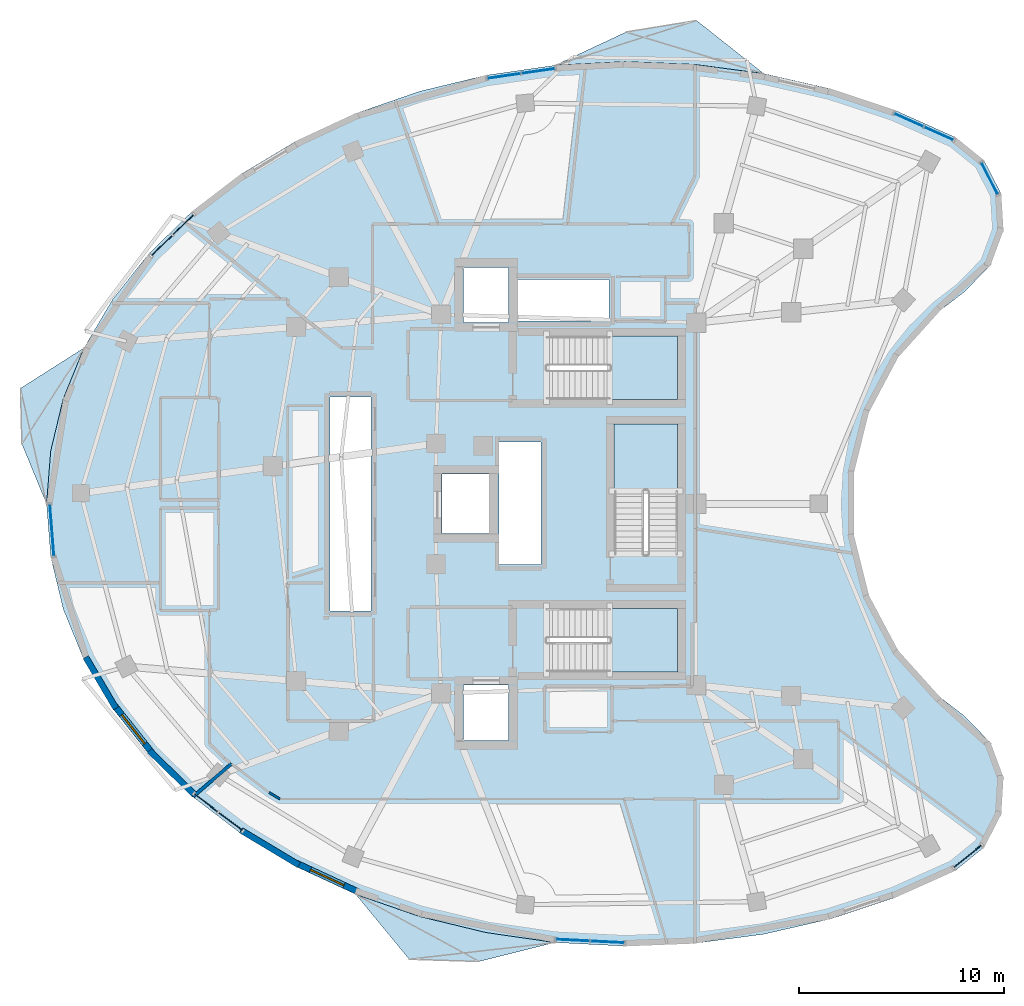
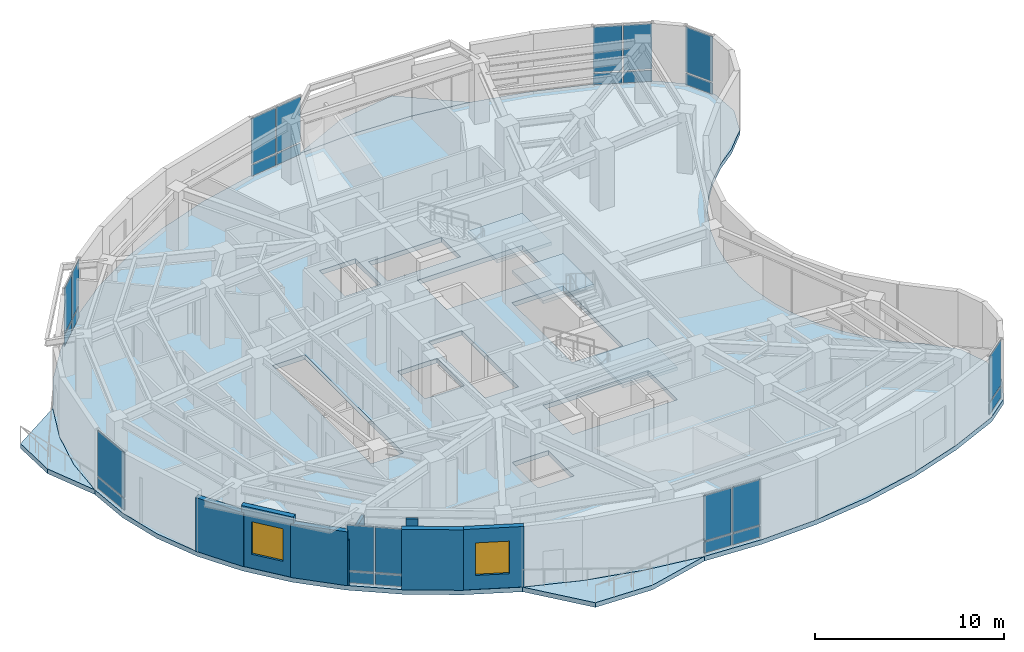
# One storey, part 7 of 14: 26 plates, 7 slabs, 7 walls, 2 windows, 2 openings, 11 elements without a shape of their own.
"""IFC4 building model written with IfcOpenShell, lengths in metres."""

from ifc_helpers import new_model, si_unit, direction, frame, frame_2d, origin, origin_2d, place, context, subcontext, project, spatial, polyline, rectangle, outline, extrude, material, layer, layer_set, type_object, element, fill, aggregate, save


model = new_model("IFC4")

# Units and contexts
model_context = context("Model", 3, precision=1e-05, world=origin(), true_north=direction((0.0, 1.0)))
body_context = subcontext(model_context, "Body", "Model", "MODEL_VIEW")
ifc_project = project(units=[si_unit("LENGTHUNIT", "METRE"), si_unit("AREAUNIT", "SQUARE_METRE"), si_unit("VOLUMEUNIT", "CUBIC_METRE"), si_unit("PLANEANGLEUNIT", "RADIAN"), si_unit("MASSUNIT", "GRAM", prefix="KILO")], contexts=[model_context])

# Site, building, storey
site_placement = place(None, origin())
site = spatial("IfcSite", under=ifc_project, at=site_placement, CompositionType="ELEMENT")
building_placement = place(site_placement, origin())
building = spatial("IfcBuilding", under=site, at=building_placement, Name="Korentha Bioscience Tower", CompositionType="ELEMENT")
storey_placement = place(building_placement, frame((0.0, 0.0, 247.800048828125)))
storey = spatial("IfcBuildingStorey", under=building, at=storey_placement, Name="L57", CompositionType="ELEMENT", Elevation=247.800048828125)

# Curtain wall, plates
ifc_material_1 = material(Name="Thermally Broken Aluminium Frame", Category="aluminium")
ifc_layer_1 = layer(ifc_material_1, 0.219970703125, Name="Thermally Broken Aluminium Frame")
ifc_layer_set_1 = layer_set([ifc_layer_1], Name="Thermally Broken Aluminium Frame (CW-T1)")
curtain_wall_type = type_object("IfcCurtainWallType", Name="Standard Bioscience Lab Unitised Curtain Wall CW-T1", PredefinedType="USERDEFINED", material=ifc_layer_set_1)
curtain_wall_1_placement = place(storey_placement, origin())
curtain_wall_1 = element("IfcCurtainWall", 1, at=curtain_wall_1_placement, inside=storey, type_object=curtain_wall_type, Name="L57 Curtain Wall 01", ObjectType="UNITISED", PredefinedType="USERDEFINED")
ifc_material_2 = material(Name="Triple-Glazed Low-E Insulated Glass", Category="glass")
ifc_layer_2 = layer(ifc_material_2, 0.0439453125, Name="Triple-Glazed Low-E Insulated Glass")
ifc_layer_set_2 = layer_set([ifc_layer_2], Name="Triple-Glazed Low-E Insulated Glass (GL-44)")
plate_type = type_object("IfcPlateType", Name="Glazed Panel 44mm", PredefinedType="CURTAIN_PANEL", material=ifc_layer_set_2)
plate_1_placement = place(storey_placement, frame((49.4052734375, 45.0869140625, 0.08984375), z_axis=(0.0, 0.0, 1.0), x_axis=(-0.912621774183, 0.408804962405, 0.0)))
plate_1 = element("IfcPlate", 2, at=plate_1_placement, type_object=plate_type, Name="CW-L57-01 Bay 1 Glazed Panel 1", PredefinedType="CURTAIN_PANEL", context=body_context, shape_type="SweptSolid", body=[
    extrude(rectangle(XDim=1.5185546875, YDim=0.0439453125, at=origin_2d()), origin(), (0.0, 0.0, 1.0), 0.715087890625),
])
plate_2_placement = place(storey_placement, frame((49.4052734375, 45.0869140625, 0.89501953125), z_axis=(0.0, 0.0, 1.0), x_axis=(-0.912621774183, 0.408804962405, 0.0)))
plate_2 = element("IfcPlate", 3, at=plate_2_placement, type_object=plate_type, Name="CW-L57-01 Bay 1 Glazed Panel 2", PredefinedType="CURTAIN_PANEL", context=body_context, shape_type="SweptSolid", body=[
    extrude(rectangle(XDim=1.5185546875, YDim=0.0439453125, at=origin_2d()), origin(), (0.0, 0.0, 1.0), 2.9150390625),
])
plate_3_placement = place(storey_placement, frame((47.937255859375, 45.744384765625, 0.08984375), z_axis=(0.0, 0.0, 1.0), x_axis=(-0.912621774183, 0.408804962405, 0.0)))
plate_3 = element("IfcPlate", 4, at=plate_3_placement, type_object=plate_type, Name="CW-L57-01 Bay 2 Glazed Panel 1", PredefinedType="CURTAIN_PANEL", context=body_context, shape_type="SweptSolid", body=[
    extrude(rectangle(XDim=1.5185546875, YDim=0.0439453125, at=origin_2d()), origin(), (0.0, 0.0, 1.0), 0.715087890625),
])
plate_4_placement = place(storey_placement, frame((47.937255859375, 45.744384765625, 0.89501953125), z_axis=(0.0, 0.0, 1.0), x_axis=(-0.912621774183, 0.408804962405, 0.0)))
plate_4 = element("IfcPlate", 5, at=plate_4_placement, type_object=plate_type, Name="CW-L57-01 Bay 2 Glazed Panel 2", PredefinedType="CURTAIN_PANEL", context=body_context, shape_type="SweptSolid", body=[
    extrude(rectangle(XDim=1.5185546875, YDim=0.0439453125, at=origin_2d()), origin(), (0.0, 0.0, 1.0), 2.9150390625),
])
aggregate(curtain_wall_1, [plate_1, plate_2, plate_3, plate_4])

curtain_wall_2_placement = place(storey_placement, origin())
curtain_wall_2 = element("IfcCurtainWall", 6, at=curtain_wall_2_placement, inside=storey, type_object=curtain_wall_type, Name="L57 Curtain Wall 07", ObjectType="UNITISED", PredefinedType="USERDEFINED")
plate_5_placement = place(storey_placement, frame((29.841796875, 48.13720703125, 0.08984375), z_axis=(0.0, 0.0, 1.0), x_axis=(-0.989728990307, -0.142956377076, 0.0)))
plate_5 = element("IfcPlate", 7, at=plate_5_placement, type_object=plate_type, Name="CW-L57-07 Bay 1 Glazed Panel 1", PredefinedType="CURTAIN_PANEL", context=body_context, shape_type="SweptSolid", body=[
    extrude(rectangle(XDim=1.602294921875, YDim=0.0439453125, at=origin_2d()), origin(), (0.0, 0.0, 1.0), 0.715087890625),
])
plate_6_placement = place(storey_placement, frame((29.841796875, 48.13720703125, 0.89501953125), z_axis=(0.0, 0.0, 1.0), x_axis=(-0.989728990307, -0.142956377076, 0.0)))
plate_6 = element("IfcPlate", 8, at=plate_6_placement, type_object=plate_type, Name="CW-L57-07 Bay 1 Glazed Panel 2", PredefinedType="CURTAIN_PANEL", context=body_context, shape_type="SweptSolid", body=[
    extrude(rectangle(XDim=1.602294921875, YDim=0.0439453125, at=origin_2d()), origin(), (0.0, 0.0, 1.0), 2.9150390625),
])
plate_7_placement = place(storey_placement, frame((28.1669921875, 47.8955078125, 0.08984375), z_axis=(0.0, 0.0, 1.0), x_axis=(-0.989728990307, -0.142956377076, 0.0)))
plate_7 = element("IfcPlate", 9, at=plate_7_placement, type_object=plate_type, Name="CW-L57-07 Bay 2 Glazed Panel 1", PredefinedType="CURTAIN_PANEL", context=body_context, shape_type="SweptSolid", body=[
    extrude(rectangle(XDim=1.602294921875, YDim=0.0439453125, at=origin_2d()), origin(), (0.0, 0.0, 1.0), 0.715087890625),
])
plate_8_placement = place(storey_placement, frame((28.1669921875, 47.8955078125, 0.89501953125), z_axis=(0.0, 0.0, 1.0), x_axis=(-0.989728990307, -0.142956377076, 0.0)))
plate_8 = element("IfcPlate", 10, at=plate_8_placement, type_object=plate_type, Name="CW-L57-07 Bay 2 Glazed Panel 2", PredefinedType="CURTAIN_PANEL", context=body_context, shape_type="SweptSolid", body=[
    extrude(rectangle(XDim=1.602294921875, YDim=0.0439453125, at=origin_2d()), origin(), (0.0, 0.0, 1.0), 2.9150390625),
])
aggregate(curtain_wall_2, [plate_5, plate_6, plate_7, plate_8])

curtain_wall_3_placement = place(storey_placement, origin())
curtain_wall_3 = element("IfcCurtainWall", 11, at=curtain_wall_3_placement, inside=storey, type_object=curtain_wall_type, Name="L57 Curtain Wall 13", ObjectType="UNITISED", PredefinedType="USERDEFINED")
plate_9_placement = place(storey_placement, frame((12.508056640625, 40.63330078125, 0.08984375), z_axis=(0.0, 0.0, 1.0), x_axis=(-0.715993919158, -0.698106516034, 0.0)))
plate_9 = element("IfcPlate", 12, at=plate_9_placement, type_object=plate_type, Name="CW-L57-13 Bay 1 Glazed Panel 1", PredefinedType="CURTAIN_PANEL", context=body_context, shape_type="SweptSolid", body=[
    extrude(rectangle(XDim=1.37158203125, YDim=0.0439453125, at=origin_2d()), origin(), (0.0, 0.0, 1.0), 0.715087890625),
])
plate_10_placement = place(storey_placement, frame((12.508056640625, 40.63330078125, 0.89501953125), z_axis=(0.0, 0.0, 1.0), x_axis=(-0.715993919158, -0.698106516034, 0.0)))
plate_10 = element("IfcPlate", 13, at=plate_10_placement, type_object=plate_type, Name="CW-L57-13 Bay 1 Glazed Panel 2", PredefinedType="CURTAIN_PANEL", context=body_context, shape_type="SweptSolid", body=[
    extrude(rectangle(XDim=1.37158203125, YDim=0.0439453125, at=origin_2d()), origin(), (0.0, 0.0, 1.0), 2.9150390625),
])
plate_11_placement = place(storey_placement, frame((11.46142578125, 39.61279296875, 0.08984375), z_axis=(0.0, 0.0, 1.0), x_axis=(-0.715993919158, -0.698106516034, 0.0)))
plate_11 = element("IfcPlate", 14, at=plate_11_placement, type_object=plate_type, Name="CW-L57-13 Bay 2 Glazed Panel 1", PredefinedType="CURTAIN_PANEL", context=body_context, shape_type="SweptSolid", body=[
    extrude(rectangle(XDim=1.37158203125, YDim=0.0439453125, at=origin_2d()), origin(), (0.0, 0.0, 1.0), 0.715087890625),
])
plate_12_placement = place(storey_placement, frame((11.46142578125, 39.61279296875, 0.89501953125), z_axis=(0.0, 0.0, 1.0), x_axis=(-0.715993919158, -0.698106516034, 0.0)))
plate_12 = element("IfcPlate", 15, at=plate_12_placement, type_object=plate_type, Name="CW-L57-13 Bay 2 Glazed Panel 2", PredefinedType="CURTAIN_PANEL", context=body_context, shape_type="SweptSolid", body=[
    extrude(rectangle(XDim=1.37158203125, YDim=0.0439453125, at=origin_2d()), origin(), (0.0, 0.0, 1.0), 2.9150390625),
])
aggregate(curtain_wall_3, [plate_9, plate_10, plate_11, plate_12])

curtain_wall_4_placement = place(storey_placement, origin())
curtain_wall_4 = element("IfcCurtainWall", 16, at=curtain_wall_4_placement, inside=storey, type_object=curtain_wall_type, Name="L57 Curtain Wall 19", ObjectType="UNITISED", PredefinedType="USERDEFINED")
plate_13_placement = place(storey_placement, frame((6.09521484375, 25.717529296875, 0.08984375), z_axis=(0.0, 0.0, 1.0), x_axis=(0.079117478884, -0.996865299093, 0.0)))
plate_13 = element("IfcPlate", 17, at=plate_13_placement, type_object=plate_type, Name="CW-L57-19 Bay 1 Glazed Panel 1", PredefinedType="CURTAIN_PANEL", context=body_context, shape_type="SweptSolid", body=[
    extrude(rectangle(XDim=2.498291015625, YDim=0.0439453125, at=origin_2d()), origin(), (0.0, 0.0, 1.0), 0.715087890625),
])
plate_14_placement = place(storey_placement, frame((6.09521484375, 25.717529296875, 0.89501953125), z_axis=(0.0, 0.0, 1.0), x_axis=(0.079117478884, -0.996865299093, 0.0)))
plate_14 = element("IfcPlate", 18, at=plate_14_placement, type_object=plate_type, Name="CW-L57-19 Bay 1 Glazed Panel 2", PredefinedType="CURTAIN_PANEL", context=body_context, shape_type="SweptSolid", body=[
    extrude(rectangle(XDim=2.498291015625, YDim=0.0439453125, at=origin_2d()), origin(), (0.0, 0.0, 1.0), 2.9150390625),
])
aggregate(curtain_wall_4, [plate_13, plate_14])

curtain_wall_5_placement = place(storey_placement, origin())
curtain_wall_5 = element("IfcCurtainWall", 19, at=curtain_wall_5_placement, inside=storey, type_object=curtain_wall_type, Name="L57 Curtain Wall 25", ObjectType="UNITISED", PredefinedType="USERDEFINED")
plate_15_placement = place(storey_placement, frame((13.62451171875, 12.403564453125, 0.08984375), z_axis=(0.0, 0.0, 1.0), x_axis=(0.794382455982, -0.607417906904, 0.0)))
plate_15 = element("IfcPlate", 20, at=plate_15_placement, type_object=plate_type, Name="CW-L57-25 Bay 1 Glazed Panel 1", PredefinedType="CURTAIN_PANEL", context=body_context, shape_type="SweptSolid", body=[
    extrude(rectangle(XDim=1.421142578125, YDim=0.0439453125, at=origin_2d()), origin(), (0.0, 0.0, 1.0), 0.715087890625),
])
plate_16_placement = place(storey_placement, frame((13.62451171875, 12.403564453125, 0.89501953125), z_axis=(0.0, 0.0, 1.0), x_axis=(0.794382455982, -0.607417906904, 0.0)))
plate_16 = element("IfcPlate", 21, at=plate_16_placement, type_object=plate_type, Name="CW-L57-25 Bay 1 Glazed Panel 2", PredefinedType="CURTAIN_PANEL", context=body_context, shape_type="SweptSolid", body=[
    extrude(rectangle(XDim=1.421142578125, YDim=0.0439453125, at=origin_2d()), origin(), (0.0, 0.0, 1.0), 2.9150390625),
])
plate_17_placement = place(storey_placement, frame((14.824951171875, 11.485595703125, 0.08984375), z_axis=(0.0, 0.0, 1.0), x_axis=(0.794382455982, -0.607417906904, 0.0)))
plate_17 = element("IfcPlate", 22, at=plate_17_placement, type_object=plate_type, Name="CW-L57-25 Bay 2 Glazed Panel 1", PredefinedType="CURTAIN_PANEL", context=body_context, shape_type="SweptSolid", body=[
    extrude(rectangle(XDim=1.421142578125, YDim=0.0439453125, at=origin_2d()), origin(), (0.0, 0.0, 1.0), 0.715087890625),
])
plate_18_placement = place(storey_placement, frame((14.824951171875, 11.485595703125, 0.89501953125), z_axis=(0.0, 0.0, 1.0), x_axis=(0.794382455982, -0.607417906904, 0.0)))
plate_18 = element("IfcPlate", 23, at=plate_18_placement, type_object=plate_type, Name="CW-L57-25 Bay 2 Glazed Panel 2", PredefinedType="CURTAIN_PANEL", context=body_context, shape_type="SweptSolid", body=[
    extrude(rectangle(XDim=1.421142578125, YDim=0.0439453125, at=origin_2d()), origin(), (0.0, 0.0, 1.0), 2.9150390625),
])
aggregate(curtain_wall_5, [plate_15, plate_16, plate_17, plate_18])

curtain_wall_6_placement = place(storey_placement, origin())
curtain_wall_6 = element("IfcCurtainWall", 24, at=curtain_wall_6_placement, inside=storey, type_object=curtain_wall_type, Name="L57 Curtain Wall 31", ObjectType="UNITISED", PredefinedType="USERDEFINED")
plate_19_placement = place(storey_placement, frame((31.52490234375, 5.6982421875, 0.08984375), z_axis=(0.0, 0.0, 1.0), x_axis=(0.998671032258, -0.051538037689, 0.0)))
plate_19 = element("IfcPlate", 25, at=plate_19_placement, type_object=plate_type, Name="CW-L57-31 Bay 1 Glazed Panel 1", PredefinedType="CURTAIN_PANEL", context=body_context, shape_type="SweptSolid", body=[
    extrude(rectangle(XDim=1.61328125, YDim=0.0439453125, at=origin_2d()), origin(), (0.0, 0.0, 1.0), 0.715087890625),
])
plate_20_placement = place(storey_placement, frame((31.52490234375, 5.6982421875, 0.89501953125), z_axis=(0.0, 0.0, 1.0), x_axis=(0.998671032258, -0.051538037689, 0.0)))
plate_20 = element("IfcPlate", 26, at=plate_20_placement, type_object=plate_type, Name="CW-L57-31 Bay 1 Glazed Panel 2", PredefinedType="CURTAIN_PANEL", context=body_context, shape_type="SweptSolid", body=[
    extrude(rectangle(XDim=1.61328125, YDim=0.0439453125, at=origin_2d()), origin(), (0.0, 0.0, 1.0), 2.9150390625),
])
plate_21_placement = place(storey_placement, frame((33.225830078125, 5.610595703125, 0.08984375), z_axis=(0.0, 0.0, 1.0), x_axis=(0.998671032258, -0.051538037689, 0.0)))
plate_21 = element("IfcPlate", 27, at=plate_21_placement, type_object=plate_type, Name="CW-L57-31 Bay 2 Glazed Panel 1", PredefinedType="CURTAIN_PANEL", context=body_context, shape_type="SweptSolid", body=[
    extrude(rectangle(XDim=1.61328125, YDim=0.0439453125, at=origin_2d()), origin(), (0.0, 0.0, 1.0), 0.715087890625),
])
plate_22_placement = place(storey_placement, frame((33.225830078125, 5.610595703125, 0.89501953125), z_axis=(0.0, 0.0, 1.0), x_axis=(0.998671032258, -0.051538037689, 0.0)))
plate_22 = element("IfcPlate", 28, at=plate_22_placement, type_object=plate_type, Name="CW-L57-31 Bay 2 Glazed Panel 2", PredefinedType="CURTAIN_PANEL", context=body_context, shape_type="SweptSolid", body=[
    extrude(rectangle(XDim=1.61328125, YDim=0.0439453125, at=origin_2d()), origin(), (0.0, 0.0, 1.0), 2.9150390625),
])
aggregate(curtain_wall_6, [plate_19, plate_20, plate_21, plate_22])

curtain_wall_7_placement = place(storey_placement, origin())
curtain_wall_7 = element("IfcCurtainWall", 29, at=curtain_wall_7_placement, inside=storey, type_object=curtain_wall_type, Name="L57 Curtain Wall 37", ObjectType="UNITISED", PredefinedType="USERDEFINED")
plate_23_placement = place(storey_placement, frame((50.810791015625, 9.790771484375, 0.08984375), z_axis=(0.0, 0.0, 1.0), x_axis=(0.777226359638, 0.629221094596, 0.0)))
plate_23 = element("IfcPlate", 30, at=plate_23_placement, type_object=plate_type, Name="CW-L57-37 Bay 1 Glazed Panel 1", PredefinedType="CURTAIN_PANEL", context=body_context, shape_type="SweptSolid", body=[
    extrude(rectangle(XDim=1.70703125, YDim=0.0439453125, at=origin_2d()), origin(), (0.0, 0.0, 1.0), 0.715087890625),
])
plate_24_placement = place(storey_placement, frame((50.810791015625, 9.790771484375, 0.89501953125), z_axis=(0.0, 0.0, 1.0), x_axis=(0.777226359638, 0.629221094596, 0.0)))
plate_24 = element("IfcPlate", 31, at=plate_24_placement, type_object=plate_type, Name="CW-L57-37 Bay 1 Glazed Panel 2", PredefinedType="CURTAIN_PANEL", context=body_context, shape_type="SweptSolid", body=[
    extrude(rectangle(XDim=1.70703125, YDim=0.0439453125, at=origin_2d()), origin(), (0.0, 0.0, 1.0), 2.9150390625),
])
aggregate(curtain_wall_7, [plate_23, plate_24])

curtain_wall_8_placement = place(storey_placement, origin())
curtain_wall_8 = element("IfcCurtainWall", 32, at=curtain_wall_8_placement, inside=storey, type_object=curtain_wall_type, Name="L57 Curtain Wall 61", ObjectType="UNITISED", PredefinedType="USERDEFINED")
plate_25_placement = place(storey_placement, frame((51.885009765625, 42.888671875, 0.08984375), z_axis=(0.0, 0.0, 1.0), x_axis=(-0.457569503198, 0.889173857996, 0.0)))
plate_25 = element("IfcPlate", 33, at=plate_25_placement, type_object=plate_type, Name="CW-L57-61 Bay 1 Glazed Panel 1", PredefinedType="CURTAIN_PANEL", context=body_context, shape_type="SweptSolid", body=[
    extrude(rectangle(XDim=1.70703125, YDim=0.0439453125, at=origin_2d()), origin(), (0.0, 0.0, 1.0), 0.715087890625),
])
plate_26_placement = place(storey_placement, frame((51.885009765625, 42.888671875, 0.89501953125), z_axis=(0.0, 0.0, 1.0), x_axis=(-0.457569503198, 0.889173857996, 0.0)))
plate_26 = element("IfcPlate", 34, at=plate_26_placement, type_object=plate_type, Name="CW-L57-61 Bay 1 Glazed Panel 2", PredefinedType="CURTAIN_PANEL", context=body_context, shape_type="SweptSolid", body=[
    extrude(rectangle(XDim=1.70703125, YDim=0.0439453125, at=origin_2d()), origin(), (0.0, 0.0, 1.0), 2.9150390625),
])
aggregate(curtain_wall_8, [plate_25, plate_26])

# Slab
ifc_material_3 = material(Name="Concrete C50", Category="concrete")
ifc_layer_3 = layer(ifc_material_3, 0.300048828125, Name="Concrete C50")
ifc_layer_set_3 = layer_set([ifc_layer_3], Name="Concrete C50 (SL-L300)")
slab_type_1 = type_object("IfcSlabType", Name="Laboratory Vibration-Controlled Slab 300", PredefinedType="FLOOR", material=ifc_layer_set_3)
slab_1_placement = place(storey_placement, frame((0.0, 0.0, -0.300048828125)))
element("IfcSlab", 35, at=slab_1_placement, inside=storey, type_object=slab_type_1, Name="L57 Tower Structural Floor Slab", PredefinedType="FLOOR", context=body_context, shape_type="SweptSolid", body=[
    extrude(outline(polyline([(50.209228515625, 44.902099609375), (47.26416015625, 46.22119140625), (44.1318359375, 47.262939453125), (40.857666015625, 48.011962890625), (37.488525390625, 48.45751953125), (34.0732421875, 48.593505859375), (30.6611328125, 48.41748046875), (27.301513671875, 47.93212890625), (24.04296875, 47.144775390625), (20.932373046875, 46.06640625), (18.0146484375, 44.712890625), (15.33203125, 43.103515625), (12.923095703125, 41.261474609375), (10.822998046875, 39.213623046875), (9.0615234375, 36.989501953125), (7.66455078125, 34.62109375), (6.65185546875, 32.142822265625), (6.03857421875, 29.590087890625), (5.8330078125, 27.0), (6.03857421875, 24.409912109375), (6.65185546875, 21.857177734375), (7.66455078125, 19.37890625), (9.0615234375, 17.010498046875), (10.822998046875, 14.786376953125), (12.923095703125, 12.738525390625), (15.33203125, 10.896484375), (18.0146484375, 9.287109375), (20.932373046875, 7.93359375), (24.04296875, 6.855224609375), (27.301513671875, 6.06787109375), (30.6611328125, 5.58251953125), (34.0732421875, 5.406494140625), (37.488525390625, 5.54248046875), (40.857666015625, 5.988037109375), (44.1318359375, 6.737060546875), (47.26416015625, 7.77880859375), (50.209228515625, 9.097900390625), (51.61376953125, 10.23486328125), (52.440673828125, 11.841552734375), (52.54931640625, 13.6455078125), (51.92138671875, 15.340087890625), (50.66357421875, 16.637451171875), (49.452880859375, 17.56640625), (48.3642578125, 18.63623046875), (47.414306640625, 19.83056640625), (46.616943359375, 21.1318359375), (45.98388671875, 22.5205078125), (45.525146484375, 23.97607421875), (45.246826171875, 25.476806640625), (45.15380859375, 27.0), (45.246826171875, 28.523193359375), (45.525146484375, 30.02392578125), (45.98388671875, 31.4794921875), (46.616943359375, 32.8681640625), (47.414306640625, 34.16943359375), (48.3642578125, 35.36376953125), (49.452880859375, 36.43359375), (50.66357421875, 37.362548828125), (51.92138671875, 38.659912109375), (52.54931640625, 40.3544921875), (52.440673828125, 42.158447265625), (51.61376953125, 43.76513671875), (50.209228515625, 44.902099609375)]), holes=[polyline([(30.25, 32.10009765625), (36.64990234375, 32.10009765625), (36.64990234375, 35.199951171875), (30.25, 35.199951171875), (30.25, 32.10009765625)]), polyline([(30.25, 18.800048828125), (36.64990234375, 18.800048828125), (36.64990234375, 21.89990234375), (30.25, 21.89990234375), (30.25, 18.800048828125)]), polyline([(36.64990234375, 24.550048828125), (36.64990234375, 30.89990234375), (33.550048828125, 30.89990234375), (33.550048828125, 24.550048828125), (36.64990234375, 24.550048828125)]), polyline([(19.679931640625, 21.780029296875), (21.669921875, 21.780029296875), (21.669921875, 32.219970703125), (19.679931640625, 32.219970703125), (19.679931640625, 21.780029296875)]), polyline([(27.929931640625, 24.030029296875), (29.969970703125, 24.030029296875), (29.969970703125, 30.02001953125), (27.929931640625, 30.02001953125), (27.929931640625, 24.030029296875)]), polyline([(28.860107421875, 35.93994140625), (33.31005859375, 35.93994140625), (33.31005859375, 37.9599609375), (28.860107421875, 37.9599609375), (28.860107421875, 35.93994140625)]), polyline([(26.199951171875, 15.449951171875), (28.39990234375, 15.449951171875), (28.39990234375, 18.14990234375), (26.199951171875, 18.14990234375), (26.199951171875, 15.449951171875)]), polyline([(26.199951171875, 35.85009765625), (28.39990234375, 35.85009765625), (28.39990234375, 38.550048828125), (26.199951171875, 38.550048828125), (26.199951171875, 35.85009765625)]), polyline([(25.14990234375, 25.550048828125), (27.550048828125, 25.550048828125), (27.550048828125, 28.449951171875), (25.14990234375, 28.449951171875), (25.14990234375, 25.550048828125)])]), origin(), (0.0, 0.0, 1.0), 0.300048828125),
])

# Stair, slab
ifc_material_4 = material(Name="Precast Concrete C50", Category="concrete")
stair_type = type_object("IfcStairType", Name="Core Exit Dog-Leg Stair 1450", PredefinedType="HALF_TURN_STAIR", material=ifc_material_4)
stair_1_placement = place(storey_placement, origin())
stair_1 = element("IfcStair", 36, at=stair_1_placement, inside=storey, type_object=stair_type, Name="L57 Tower North Pressurized Exit Stair ST-1", PredefinedType="HALF_TURN_STAIR")
ifc_layer_4 = layer(ifc_material_3, 0.199951171875, Name="Concrete C50")
ifc_layer_set_4 = layer_set([ifc_layer_4], Name="Concrete C50 (SL-LND)")
slab_type_2 = type_object("IfcSlabType", Name="Landing Slab 200", PredefinedType="LANDING", material=ifc_layer_set_4)
slab_2_placement = place(storey_placement, frame((0.0, 0.0, 1.89990234375)))
slab_2 = element("IfcSlab", 37, at=slab_2_placement, type_object=slab_type_2, Name="ST-1 landing 1", PredefinedType="LANDING", context=body_context, shape_type="SweptSolid", body=[
    extrude(outline(polyline([(33.330078125, 32.10009765625), (36.64990234375, 32.10009765625), (36.64990234375, 35.199951171875), (33.330078125, 35.199951171875), (33.330078125, 32.10009765625)])), origin(), (0.0, 0.0, 1.0), 0.199951171875),
])
aggregate(stair_1, [slab_2])

stair_2_placement = place(storey_placement, origin())
stair_2 = element("IfcStair", 38, at=stair_2_placement, inside=storey, type_object=stair_type, Name="L57 Tower South Pressurized Exit Stair ST-2", PredefinedType="HALF_TURN_STAIR")
slab_3_placement = place(storey_placement, frame((0.0, 0.0, 1.89990234375)))
slab_3 = element("IfcSlab", 39, at=slab_3_placement, type_object=slab_type_2, Name="ST-2 landing 1", PredefinedType="LANDING", context=body_context, shape_type="SweptSolid", body=[
    extrude(outline(polyline([(33.330078125, 18.800048828125), (36.64990234375, 18.800048828125), (36.64990234375, 21.89990234375), (33.330078125, 21.89990234375), (33.330078125, 18.800048828125)])), origin(), (0.0, 0.0, 1.0), 0.199951171875),
])
aggregate(stair_2, [slab_3])

stair_3_placement = place(storey_placement, origin())
stair_3 = element("IfcStair", 40, at=stair_3_placement, inside=storey, type_object=stair_type, Name="L57 Tower Central Pressurized Exit Stair ST-3", PredefinedType="HALF_TURN_STAIR")
slab_4_placement = place(storey_placement, frame((0.0, 0.0, 1.89990234375)))
slab_4 = element("IfcSlab", 41, at=slab_4_placement, type_object=slab_type_2, Name="ST-3 landing 1", PredefinedType="LANDING", context=body_context, shape_type="SweptSolid", body=[
    extrude(outline(polyline([(36.64990234375, 27.6298828125), (36.64990234375, 30.89990234375), (33.550048828125, 30.89990234375), (33.550048828125, 27.6298828125), (36.64990234375, 27.6298828125)])), origin(), (0.0, 0.0, 1.0), 0.199951171875),
])
aggregate(stair_3, [slab_4])

# Slabs
ifc_layer_5 = layer(ifc_material_3, 0.300048828125, Name="Concrete C50")
ifc_layer_set_5 = layer_set([ifc_layer_5], Name="Concrete C50 (BS-240)")
slab_type_3 = type_object("IfcSlabType", Name="Sawtooth Sun-Ledge Balcony Slab 240", PredefinedType="USERDEFINED", material=ifc_layer_set_5)
slab_5_placement = place(storey_placement, frame((0.0, 0.0, -0.300048828125)))
element("IfcSlab", 42, at=slab_5_placement, inside=storey, type_object=slab_type_3, Name="L57 Sun-Ledge Balcony 01", ObjectType="BALCONY", PredefinedType="USERDEFINED", context=body_context, shape_type="SweptSolid", body=[
    extrude(outline(polyline([(30.6611328125, 48.41748046875), (34.0732421875, 48.593505859375), (37.488525390625, 48.45751953125), (40.857666015625, 48.011962890625), (37.573974609375, 50.60595703125), (34.130859375, 50.042236328125), (30.6611328125, 48.41748046875)])), origin(), (0.0, 0.0, 1.0), 0.300048828125),
])
slab_6_placement = place(storey_placement, frame((0.0, 0.0, -0.300048828125)))
element("IfcSlab", 43, at=slab_6_placement, inside=storey, type_object=slab_type_3, Name="L57 Sun-Ledge Balcony 02", ObjectType="BALCONY", PredefinedType="USERDEFINED", context=body_context, shape_type="SweptSolid", body=[
    extrude(outline(polyline([(5.8330078125, 27.0), (6.03857421875, 29.590087890625), (6.65185546875, 32.142822265625), (7.66455078125, 34.62109375), (4.561279296875, 32.645263671875), (4.628662109375, 29.928955078125), (5.8330078125, 27.0)])), origin(), (0.0, 0.0, 1.0), 0.300048828125),
])
slab_7_placement = place(storey_placement, frame((0.0, 0.0, -0.300048828125)))
element("IfcSlab", 44, at=slab_7_placement, inside=storey, type_object=slab_type_3, Name="L57 Sun-Ledge Balcony 03", ObjectType="BALCONY", PredefinedType="USERDEFINED", context=body_context, shape_type="SweptSolid", body=[
    extrude(outline(polyline([(30.6611328125, 5.58251953125), (27.301513671875, 6.06787109375), (24.04296875, 6.855224609375), (20.932373046875, 7.93359375), (23.5380859375, 4.765380859375), (26.9609375, 4.658447265625), (30.6611328125, 5.58251953125)])), origin(), (0.0, 0.0, 1.0), 0.300048828125),
])

# Walls
ifc_material_5 = material(Name="Fire-Rated Framed Glass", Category="glass")
ifc_layer_6 = layer(ifc_material_5, 0.110107421875, Name="Fire-Rated Framed Glass")
ifc_layer_set_6 = layer_set([ifc_layer_6], Name="Fire-Rated Framed Glass (IW-G110)")
wall_type_1 = type_object("IfcWallType", Name="Demountable Glazed Office Partition 110", PredefinedType="MOVABLE", material=ifc_layer_set_6)
wall_1_placement = place(storey_placement, frame((16.699951171875, 12.90966796875, 0.0), z_axis=(0.0, 0.0, 1.0), x_axis=(0.857458106414, -0.514553783141, 0.0)))
element("IfcWall", 45, at=wall_1_placement, inside=storey, type_object=wall_type_1, Name="L57 Interior Partition 042", PredefinedType="MOVABLE", context=body_context, shape_type="SweptSolid", body=[
    extrude(rectangle(XDim=0.61865234375, YDim=0.110107421875, at=frame_2d((0.309326171875, 0.0))), origin(), (0.0, 0.0, 1.0), 2.909912109375),
])
ifc_material_6 = material(Name="Gypsum-Clad Steel Stud", Category="steel")
ifc_layer_7 = layer(ifc_material_6, 0.159912109375, Name="Gypsum-Clad Steel Stud")
ifc_layer_set_7 = layer_set([ifc_layer_7], Name="Gypsum-Clad Steel Stud (IW-C160)")
wall_type_2 = type_object("IfcWallType", Name="Fire-Rated Corridor Partition Wall 160", PredefinedType="PARTITIONING", material=ifc_layer_set_7)
wall_2_placement = place(storey_placement, frame((14.8662109375, 14.311767578125, 0.0), z_axis=(0.0, 0.0, 1.0), x_axis=(-0.760432930585, -0.649416475062, 0.0)))
element("IfcWall", 46, at=wall_2_placement, inside=storey, type_object=wall_type_2, Name="L57 Interior Partition 036", PredefinedType="PARTITIONING", context=body_context, shape_type="SweptSolid", body=[
    extrude(rectangle(XDim=2.458740234375, YDim=0.159912109375, at=frame_2d((1.2294921875, 0.0))), origin(), (0.0, 0.0, 1.0), 2.909912109375),
])

# Wall, opening, window
ifc_material_7 = material(Name="Honed Limestone Precast Concrete C40", Category="masonry")
ifc_layer_8 = layer(ifc_material_7, 0.300048828125, Name="Honed Limestone Precast Concrete C40")
ifc_layer_set_8 = layer_set([ifc_layer_8], Name="Honed Limestone Precast Concrete C40 (EW-ST300)")
wall_type_3 = type_object("IfcWallType", Name="Honed Limestone Cavity Spandrel Wall 300", PredefinedType="STANDARD", material=ifc_layer_set_8)
wall_3_placement = place(storey_placement, frame((9.149658203125, 17.15673828125, 0.0), z_axis=(0.0, 0.0, 1.0), x_axis=(0.620861534092, -0.783920248166, 0.0)))
wall_3 = element("IfcWall", 47, at=wall_3_placement, inside=storey, type_object=wall_type_3, Name="L57 Honed Limestone Spandrel Wall 23", PredefinedType="STANDARD", context=body_context, shape_type="SweptSolid", body=[
    extrude(rectangle(XDim=2.95703125, YDim=0.300048828125, at=frame_2d((1.478515625, 0.0))), origin(), (0.0, 0.0, 1.0), 3.89990234375),
])
opening_1_placement = place(wall_3_placement, frame((0.57861328125, 0.0, 0.89990234375)))
opening_1 = element("IfcOpeningElement", 48, at=opening_1_placement, cuts=wall_3, Name="Opening WN-01", PredefinedType="OPENING", context=body_context, shape_type="SweptSolid", body=[
    extrude(rectangle(XDim=1.800048828125, YDim=2.10009765625, at=frame_2d((0.89990234375, 1.050048828125))), frame((0.0, 0.1650390625, 0.0), z_axis=(0.0, -1.0, 0.0), x_axis=(1.0, 0.0, 0.0)), (0.0, 0.0, 1.0), 0.329833984375),
])
ifc_material_8 = material(Name="Thermally Broken Aluminium Triple Glazing", Category="aluminium")
window_type = type_object("IfcWindowType", Name="Triple-Glazed Fixed Bioscience Window 1800x2100", PartitioningType="SINGLE_PANEL", PredefinedType="WINDOW", material=ifc_material_8)
window_1_placement = place(opening_1_placement, origin())
window_1 = element("IfcWindow", 49, at=window_1_placement, inside=storey, type_object=window_type, Name="L57 Facade Window 23", OverallHeight=2.10009765625, OverallWidth=1.800048828125, PartitioningType="SINGLE_PANEL", PredefinedType="WINDOW", context=body_context, shape_type="SweptSolid", body=[
    extrude(rectangle(XDim=1.800048828125, YDim=2.10009765625, at=frame_2d((0.89990234375, 1.050048828125))), frame((0.0, 0.030029296875, 0.0), z_axis=(0.0, -1.0, 0.0), x_axis=(1.0, 0.0, 0.0)), (0.0, 0.0, 1.0), 0.06005859375),
])
fill(opening_1, window_1)

wall_4_placement = place(storey_placement, frame((18.027587890625, 9.45751953125, 0.0), z_axis=(0.0, 0.0, 1.0), x_axis=(0.907141680649, -0.420825345278, 0.0)))
wall_4 = element("IfcWall", 50, at=wall_4_placement, inside=storey, type_object=wall_type_3, Name="L57 Honed Limestone Spandrel Wall 27", PredefinedType="STANDARD", context=body_context, shape_type="SweptSolid", body=[
    extrude(rectangle(XDim=3.33642578125, YDim=0.300048828125, at=frame_2d((1.668212890625, 0.0))), origin(), (0.0, 0.0, 1.0), 3.89990234375),
])
opening_2_placement = place(wall_4_placement, frame((0.768310546875, 0.0, 0.89990234375)))
opening_2 = element("IfcOpeningElement", 51, at=opening_2_placement, cuts=wall_4, Name="Opening WN-01", PredefinedType="OPENING", context=body_context, shape_type="SweptSolid", body=[
    extrude(rectangle(XDim=1.800048828125, YDim=2.10009765625, at=frame_2d((0.89990234375, 1.050048828125))), frame((0.0, 0.1650390625, 0.0), z_axis=(0.0, -1.0, 0.0), x_axis=(1.0, 0.0, 0.0)), (0.0, 0.0, 1.0), 0.329833984375),
])
window_2_placement = place(opening_2_placement, origin())
window_2 = element("IfcWindow", 52, at=window_2_placement, inside=storey, type_object=window_type, Name="L57 Facade Window 27", OverallHeight=2.10009765625, OverallWidth=1.800048828125, PartitioningType="SINGLE_PANEL", PredefinedType="WINDOW", context=body_context, shape_type="SweptSolid", body=[
    extrude(rectangle(XDim=1.800048828125, YDim=2.10009765625, at=frame_2d((0.89990234375, 1.050048828125))), frame((0.0, 0.030029296875, 0.0), z_axis=(0.0, -1.0, 0.0), x_axis=(1.0, 0.0, 0.0)), (0.0, 0.0, 1.0), 0.06005859375),
])
fill(opening_2, window_2)

# Walls
wall_5_placement = place(storey_placement, frame((7.744384765625, 19.518798828125, 0.0), z_axis=(0.0, 0.0, 1.0), x_axis=(0.508064832988, -0.861318829169, 0.0)))
element("IfcWall", 53, at=wall_5_placement, inside=storey, type_object=wall_type_3, Name="L57 Limestone Perimeter Closure Wall 22", PredefinedType="STANDARD", context=body_context, shape_type="SweptSolid", body=[
    extrude(rectangle(XDim=2.90966796875, YDim=0.300048828125, at=frame_2d((1.454833984375, 0.0))), origin(), (0.0, 0.0, 1.0), 3.469970703125),
])
wall_6_placement = place(storey_placement, frame((10.86328125, 14.9423828125, 0.0), z_axis=(0.0, 0.0, 1.0), x_axis=(0.71600802955, -0.698092043802, 0.0)))
element("IfcWall", 54, at=wall_6_placement, inside=storey, type_object=wall_type_3, Name="L57 Limestone Perimeter Closure Wall 24", PredefinedType="STANDARD", context=body_context, shape_type="SweptSolid", body=[
    extrude(rectangle(XDim=3.09326171875, YDim=0.300048828125, at=frame_2d((1.546630859375, 0.0))), origin(), (0.0, 0.0, 1.0), 3.469970703125),
])
wall_7_placement = place(storey_placement, frame((15.33544921875, 11.057861328125, 0.0), z_axis=(0.0, 0.0, 1.0), x_axis=(0.857525678966, -0.514441162732, 0.0)))
element("IfcWall", 55, at=wall_7_placement, inside=storey, type_object=wall_type_3, Name="L57 Limestone Perimeter Closure Wall 26", PredefinedType="STANDARD", context=body_context, shape_type="SweptSolid", body=[
    extrude(rectangle(XDim=3.288330078125, YDim=0.300048828125, at=frame_2d((1.64404296875, 0.0))), origin(), (0.0, 0.0, 1.0), 3.89990234375),
])

save(model, "model.ifc")
